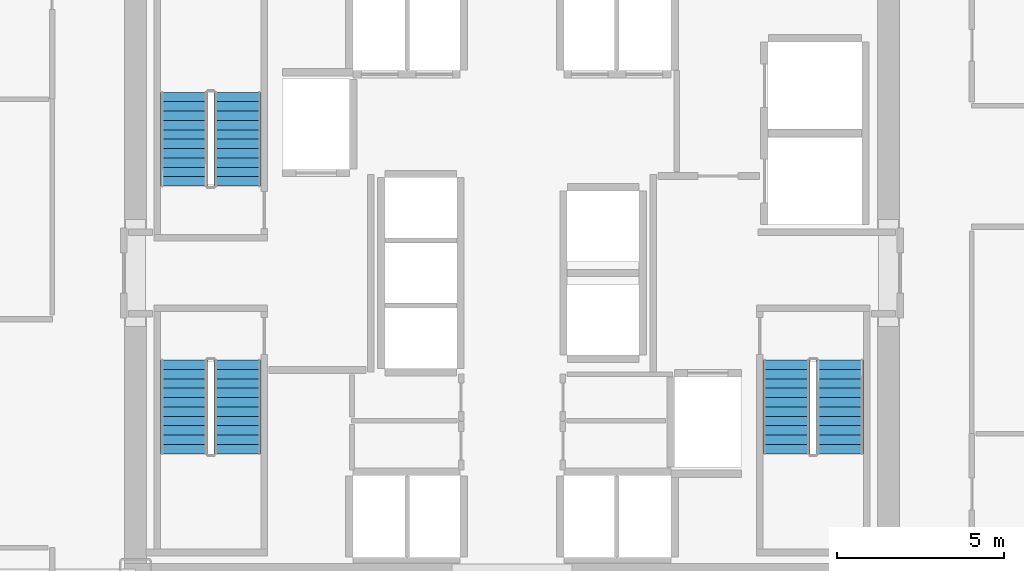
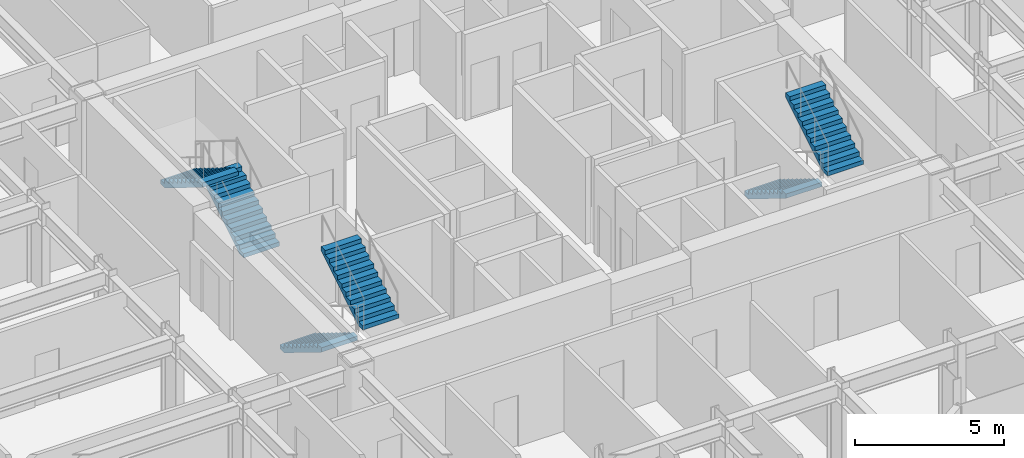
# One storey, part 25 of 26: 6 stair flights, 3 elements without a shape of their own.
"""IFC4 building model written with IfcOpenShell, lengths in metres."""

from ifc_helpers import new_model, si_unit, direction, frame, origin, place, context, subcontext, project, spatial, polyline, outline, extrude, source, transform, mapped, material, type_object, element, aggregate, save


model = new_model("IFC4")

# Units and contexts
model_context = context("Model", 3, precision=1e-05, world=origin(), true_north=direction((0.0, 1.0)))
body_context = subcontext(model_context, "Body", "Model", "MODEL_VIEW")
ifc_project = project(units=[si_unit("LENGTHUNIT", "METRE"), si_unit("AREAUNIT", "SQUARE_METRE"), si_unit("VOLUMEUNIT", "CUBIC_METRE"), si_unit("PLANEANGLEUNIT", "RADIAN"), si_unit("MASSUNIT", "GRAM", prefix="KILO")], contexts=[model_context])

# Site, building, storey
site_placement = place(None, origin())
site = spatial("IfcSite", under=ifc_project, at=site_placement, CompositionType="ELEMENT")
building_placement = place(site_placement, origin())
building = spatial("IfcBuilding", under=site, at=building_placement, Name="Nefas-Gora Pilgrimage Tower", CompositionType="ELEMENT")
storey_placement = place(building_placement, frame((0.0, 0.0, 40.60009765625)))
storey = spatial("IfcBuildingStorey", under=building, at=storey_placement, Name="L08", CompositionType="ELEMENT", Elevation=40.60009765625)

# Stair, stair flights
ifc_material = material(Name="Concrete C45/55", Category="concrete")
stair_type = type_object("IfcStairType", Name="STR-1400-R1727", PredefinedType="HALF_TURN_STAIR", material=ifc_material)
stair_1_placement = place(storey_placement, origin())
stair_1 = element("IfcStair", 1, at=stair_1_placement, inside=storey, type_object=stair_type, Name="L08 Pressurised Tower Exit Stair ST-01", PredefinedType="HALF_TURN_STAIR")
stair_flight_type = type_object("IfcStairFlightType", Name="STF-1400-R1727", PredefinedType="STRAIGHT", material=ifc_material)
shared_shape = source(origin(), body_context, "Body", "SweptSolid", [
    extrude(outline(polyline([(0.0, 0.0), (0.0, 0.172607421875), (0.280029296875, 0.172607421875), (0.280029296875, 0.345458984375), (0.56005859375, 0.345458984375), (0.56005859375, 0.51806640625), (0.840087890625, 0.51806640625), (0.840087890625, 0.69091796875), (1.1201171875, 0.69091796875), (1.1201171875, 0.863525390625), (1.39990234375, 0.863525390625), (1.39990234375, 1.036376953125), (1.679931640625, 1.036376953125), (1.679931640625, 1.208984375), (1.9599609375, 1.208984375), (1.9599609375, 1.3818359375), (2.239990234375, 1.3818359375), (2.239990234375, 1.554443359375), (2.52001953125, 1.554443359375), (2.52001953125, 1.727294921875), (2.800048828125, 1.727294921875), (2.800048828125, 1.89990234375), (2.800048828125, 1.551025390625), (0.285400390625, 0.0), (0.0, 0.0)])), frame((0.0, 0.699951171875, 0.0), z_axis=(0.0, -1.0, 0.0), x_axis=(1.0, 0.0, 0.0)), (0.0, 0.0, 1.0), 1.39990234375),
])
stair_flight_1_placement = place(storey_placement, frame((-8.199951171875, 2.60009765625, 0.0), z_axis=(0.0, 0.0, 1.0), x_axis=(0.0, 1.0, 0.0)))
stair_flight_1 = element("IfcStairFlight", 2, at=stair_flight_1_placement, type_object=stair_flight_type, Name="ST-01 flight 1", NumberOfRisers=11, NumberOfTreads=10, PredefinedType="STRAIGHT", RiserHeight=0.172727273, TreadLength=0.28, context=body_context, shape_type="MappedRepresentation", body=[
    mapped(shared_shape, transform((0.0, 0.0, 0.0), x_axis=(1.0, 0.0, 0.0), y_axis=(0.0, 1.0, 0.0), z_axis=(0.0, 0.0, 1.0), scale=1.0)),
])
stair_flight_2_placement = place(storey_placement, frame((-9.800048828125, 5.39990234375, 1.89990234375), z_axis=(0.0, 0.0, 1.0), x_axis=(0.0, -1.0, 0.0)))
stair_flight_2 = element("IfcStairFlight", 3, at=stair_flight_2_placement, type_object=stair_flight_type, Name="ST-01 flight 2", NumberOfRisers=11, NumberOfTreads=10, PredefinedType="STRAIGHT", RiserHeight=0.172727273, TreadLength=0.28, context=body_context, shape_type="MappedRepresentation", body=[
    mapped(shared_shape, transform((0.0, 0.0, 0.0), x_axis=(1.0, 0.0, 0.0), y_axis=(0.0, 1.0, 0.0), z_axis=(0.0, 0.0, 1.0), scale=1.0)),
])
aggregate(stair_1, [stair_flight_1, stair_flight_2])

stair_2_placement = place(storey_placement, origin())
stair_2 = element("IfcStair", 4, at=stair_2_placement, inside=storey, type_object=stair_type, Name="L08 Pressurised Tower Exit Stair ST-02", PredefinedType="HALF_TURN_STAIR")
stair_flight_3_placement = place(storey_placement, frame((8.199951171875, -2.60009765625, 0.0), z_axis=(0.0, 0.0, 1.0), x_axis=(0.0, -1.0, 0.0)))
stair_flight_3 = element("IfcStairFlight", 5, at=stair_flight_3_placement, type_object=stair_flight_type, Name="ST-02 flight 1", NumberOfRisers=11, NumberOfTreads=10, PredefinedType="STRAIGHT", RiserHeight=0.172727273, TreadLength=0.28, context=body_context, shape_type="MappedRepresentation", body=[
    mapped(shared_shape, transform((0.0, 0.0, 0.0), x_axis=(1.0, 0.0, 0.0), y_axis=(0.0, 1.0, 0.0), z_axis=(0.0, 0.0, 1.0), scale=1.0)),
])
stair_flight_4_placement = place(storey_placement, frame((9.800048828125, -5.39990234375, 1.89990234375), z_axis=(0.0, 0.0, 1.0), x_axis=(0.0, 1.0, 0.0)))
stair_flight_4 = element("IfcStairFlight", 6, at=stair_flight_4_placement, type_object=stair_flight_type, Name="ST-02 flight 2", NumberOfRisers=11, NumberOfTreads=10, PredefinedType="STRAIGHT", RiserHeight=0.172727273, TreadLength=0.28, context=body_context, shape_type="MappedRepresentation", body=[
    mapped(shared_shape, transform((0.0, 0.0, 0.0), x_axis=(1.0, 0.0, 0.0), y_axis=(0.0, 1.0, 0.0), z_axis=(0.0, 0.0, 1.0), scale=1.0)),
])
aggregate(stair_2, [stair_flight_3, stair_flight_4])

stair_3_placement = place(storey_placement, origin())
stair_3 = element("IfcStair", 7, at=stair_3_placement, inside=storey, type_object=stair_type, Name="L08 Pressurised Tower Exit Stair ST-03", PredefinedType="HALF_TURN_STAIR")
stair_flight_5_placement = place(storey_placement, frame((-9.800048828125, -2.60009765625, 0.0), z_axis=(0.0, 0.0, 1.0), x_axis=(0.0, -1.0, 0.0)))
stair_flight_5 = element("IfcStairFlight", 8, at=stair_flight_5_placement, type_object=stair_flight_type, Name="ST-03 flight 1", NumberOfRisers=11, NumberOfTreads=10, PredefinedType="STRAIGHT", RiserHeight=0.172727273, TreadLength=0.28, context=body_context, shape_type="MappedRepresentation", body=[
    mapped(shared_shape, transform((0.0, 0.0, 0.0), x_axis=(1.0, 0.0, 0.0), y_axis=(0.0, 1.0, 0.0), z_axis=(0.0, 0.0, 1.0), scale=1.0)),
])
stair_flight_6_placement = place(storey_placement, frame((-8.199951171875, -5.39990234375, 1.89990234375), z_axis=(0.0, 0.0, 1.0), x_axis=(0.0, 1.0, 0.0)))
stair_flight_6 = element("IfcStairFlight", 9, at=stair_flight_6_placement, type_object=stair_flight_type, Name="ST-03 flight 2", NumberOfRisers=11, NumberOfTreads=10, PredefinedType="STRAIGHT", RiserHeight=0.172727273, TreadLength=0.28, context=body_context, shape_type="MappedRepresentation", body=[
    mapped(shared_shape, transform((0.0, 0.0, 0.0), x_axis=(1.0, 0.0, 0.0), y_axis=(0.0, 1.0, 0.0), z_axis=(0.0, 0.0, 1.0), scale=1.0)),
])
aggregate(stair_3, [stair_flight_5, stair_flight_6])

save(model, "model.ifc")
